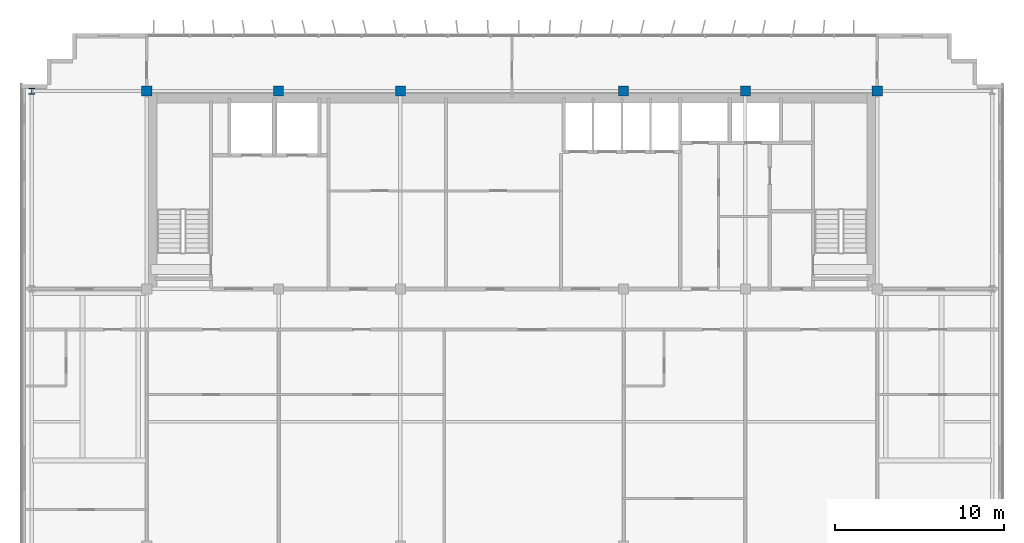
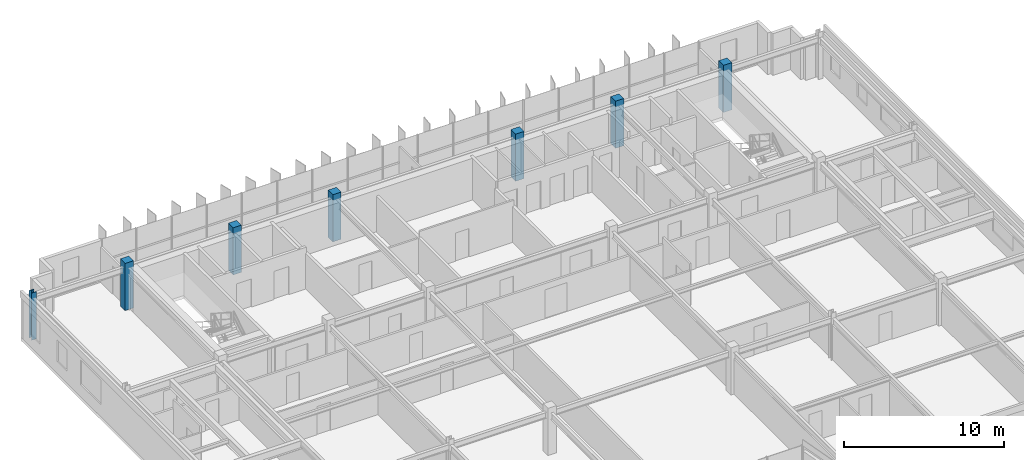
# One storey, part 3 of 26: 7 columns.
"""IFC4 building model written with IfcOpenShell, lengths in metres."""

from ifc_helpers import new_model, si_unit, direction, frame, origin, origin_2d, place, context, subcontext, project, spatial, rectangle, i_section, extrude, source, transform, mapped, material, material_profile, profile_set, type_object, element, save


model = new_model("IFC4")

# Units and contexts
model_context = context("Model", 3, precision=1e-05, world=origin(), true_north=direction((0.0, 1.0)))
body_context = subcontext(model_context, "Body", "Model", "MODEL_VIEW")
ifc_project = project(units=[si_unit("LENGTHUNIT", "METRE"), si_unit("AREAUNIT", "SQUARE_METRE"), si_unit("VOLUMEUNIT", "CUBIC_METRE"), si_unit("PLANEANGLEUNIT", "RADIAN"), si_unit("MASSUNIT", "GRAM", prefix="KILO")], contexts=[model_context])

# Site, building, storey
site_placement = place(None, origin())
site = spatial("IfcSite", under=ifc_project, at=site_placement, CompositionType="ELEMENT")
building_placement = place(site_placement, origin())
building = spatial("IfcBuilding", under=site, at=building_placement, Name="Trelvane Seafront Commons", CompositionType="ELEMENT")
storey_placement = place(building_placement, frame((0.0, 0.0, 291.89990234375)))
storey = spatial("IfcBuildingStorey", under=building, at=storey_placement, Name="L76", CompositionType="ELEMENT", Elevation=291.89990234375)

# Columns
ifc_material_1 = material(Name="Steel SM355 (S355)", Category="steel")
ifc_material_profile_1 = material_profile(ifc_material_1, i_section(OverallWidth=0.35009765625, OverallDepth=0.35009765625, WebThickness=0.01806640625, FlangeThickness=0.028076171875, at=origin_2d()), Name="HD-350x350x18x28")
ifc_profile_set_1 = profile_set([ifc_material_profile_1], Name="Steel SM355 (S355)")
column_type_1 = type_object("IfcColumnType", Name="STR-COL-HD350", PredefinedType="COLUMN", material=ifc_profile_set_1)
shared_shape_1 = source(origin(), body_context, "Body", "SweptSolid", [
    extrude(i_section(OverallWidth=0.35009765625, OverallDepth=0.35009765625, WebThickness=0.01806640625, FlangeThickness=0.028076171875, at=origin_2d()), origin(), (0.0, 0.0, 1.0), 3.60009765625),
])
column_placement = place(storey_placement, frame((8.800048828125, 45.10009765625, 0.0), z_axis=(0.0, 0.0, 1.0), x_axis=(1.0, 0.0, 0.0)))
element("IfcColumn", 1, at=column_placement, inside=storey, type_object=column_type_1, Name="L76 Column TC-CN8.8", PredefinedType="COLUMN", context=body_context, shape_type="MappedRepresentation", body=[
    mapped(shared_shape_1, transform((0.0, 0.0, 0.0), x_axis=(1.0, 0.0, 0.0), y_axis=(0.0, 1.0, 0.0), z_axis=(0.0, 0.0, 1.0), scale=1.0)),
])
ifc_material_2 = material(Name="Concrete C50/60", Category="concrete")
ifc_material_profile_2 = material_profile(ifc_material_2, rectangle(XDim=0.60009765625, YDim=0.60009765625, at=origin_2d()), Name="RC-600x600")
ifc_profile_set_2 = profile_set([ifc_material_profile_2], Name="Concrete C50/60")
column_type_2 = type_object("IfcColumnType", Name="STR-COL-RC600", PredefinedType="COLUMN", material=ifc_profile_set_2)
shared_shape_2 = source(origin(), body_context, "Body", "SweptSolid", [
    extrude(rectangle(XDim=0.60009765625, YDim=0.60009765625, at=origin_2d()), origin(), (0.0, 0.0, 1.0), 3.60009765625),
])
for number, where, z_axis, x_axis, name in (
    (2, (15.60009765625, 45.10009765625, 0.0), (0.0, 0.0, 1.0), (1.0, 0.0, 0.0), "L76 Column TC-CN15.6"),
    (3, (23.39990234375, 45.10009765625, 0.0), (0.0, 0.0, 1.0), (1.0, 0.0, 0.0), "L76 Column TC-CN23.4"),
    (4, (30.60009765625, 45.10009765625, 0.0), (0.0, 0.0, 1.0), (1.0, 0.0, 0.0), "L76 Column TC-CN30.6"),
    (5, (43.800048828125, 45.10009765625, 0.0), (0.0, 0.0, 1.0), (1.0, 0.0, 0.0), "L76 Column TC-CN43.8"),
    (6, (51.0, 45.10009765625, 0.0), (0.0, 0.0, 1.0), (1.0, 0.0, 0.0), "L76 Column TC-CN51.0"),
    (7, (58.800048828125, 45.10009765625, 0.0), (0.0, 0.0, 1.0), (1.0, 0.0, 0.0), "L76 Column TC-CN58.8"),
):
    element("IfcColumn", number, at=place(storey_placement, frame(where, z_axis=z_axis, x_axis=x_axis)), inside=storey, type_object=column_type_2, Name=name, PredefinedType="COLUMN", context=body_context, shape_type="MappedRepresentation", body=[
        mapped(shared_shape_2, transform((0.0, 0.0, 0.0), x_axis=(1.0, 0.0, 0.0), y_axis=(0.0, 1.0, 0.0), z_axis=(0.0, 0.0, 1.0), scale=1.0)),
    ])

save(model, "model.ifc")
